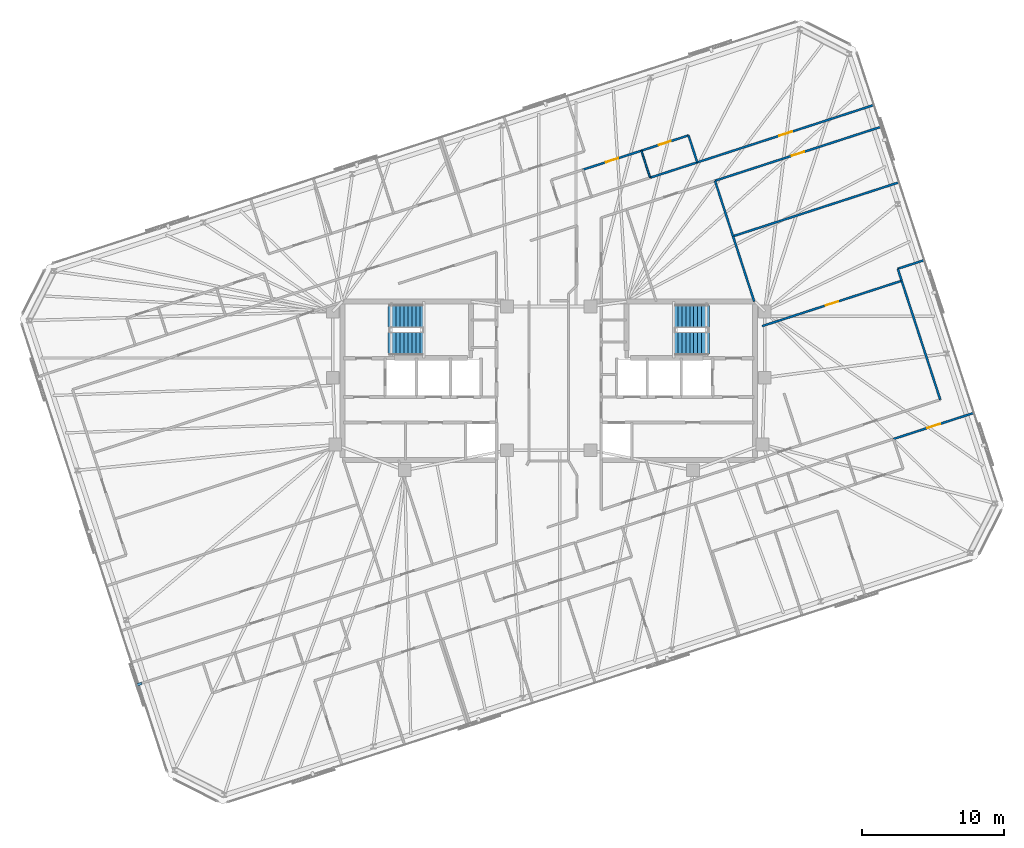
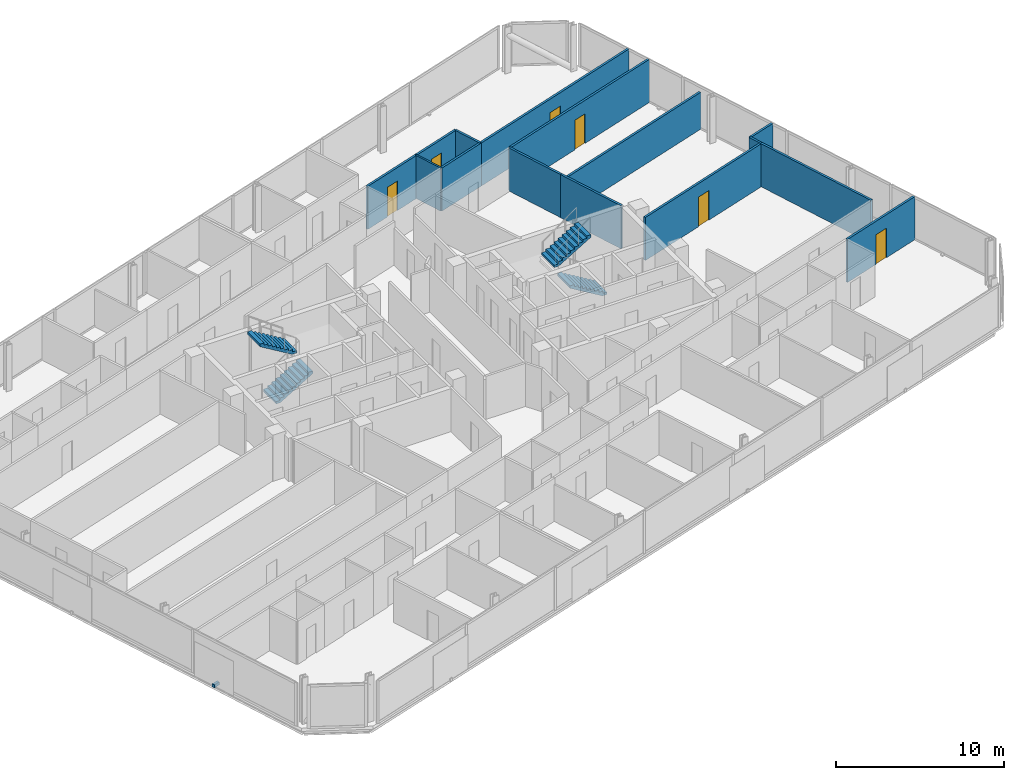
# One storey, part 18 of 20: 15 walls, 6 doors, 4 stair flights, 1 discrete accessory, 6 openings, 2 elements without a shape of their own.
"""IFC4 building model written with IfcOpenShell, lengths in metres."""

from ifc_helpers import new_model, si_unit, direction, frame, frame_2d, origin, origin_2d, place, context, subcontext, project, spatial, polyline, rectangle, outline, extrude, material, layer, layer_set, type_object, element, fill, aggregate, save


model = new_model("IFC4")

# Units and contexts
model_context = context("Model", 3, precision=1e-05, world=origin(), true_north=direction((0.0, 1.0)))
body_context = subcontext(model_context, "Body", "Model", "MODEL_VIEW")
ifc_project = project(units=[si_unit("LENGTHUNIT", "METRE"), si_unit("AREAUNIT", "SQUARE_METRE"), si_unit("VOLUMEUNIT", "CUBIC_METRE"), si_unit("PLANEANGLEUNIT", "RADIAN"), si_unit("MASSUNIT", "GRAM", prefix="KILO")], contexts=[model_context])

# Site, building, storey
site_placement = place(None, origin())
site = spatial("IfcSite", under=ifc_project, at=site_placement, CompositionType="ELEMENT")
building_placement = place(site_placement, origin())
building = spatial("IfcBuilding", under=site, at=building_placement, Name="Menara Jurai Vektor", CompositionType="ELEMENT")
storey_placement = place(building_placement, frame((0.0, 0.0, 247.75)))
storey = spatial("IfcBuildingStorey", under=building, at=storey_placement, Name="L66", CompositionType="ELEMENT", Elevation=247.75)

# Wall, opening, door
ifc_material_1 = material(Name="Gypsum Fireboard Partition", Category="gypsum")
ifc_layer_1 = layer(ifc_material_1, 0.14990234375)
ifc_layer_set_1 = layer_set([ifc_layer_1], Name="Gypsum Fireboard Partition")
wall_type_1 = type_object("IfcWallType", Name="INT-WALL-CORR-150", PredefinedType="PARTITIONING", material=ifc_layer_set_1)
wall_1_placement = place(storey_placement, frame((10.481201171875, 15.420654296875, 0.0), z_axis=(0.0, 0.0, 1.0), x_axis=(0.951055682471, 0.30901956061, 0.0)))
wall_1 = element("IfcWall", 1, at=wall_1_placement, inside=storey, type_object=wall_type_1, Name="Interior Wall IW-150 L66", PredefinedType="PARTITIONING", context=body_context, shape_type="SweptSolid", body=[
    extrude(rectangle(XDim=13.114013671875, YDim=0.14990234375, at=frame_2d((6.55712890625, 0.0))), origin(), (0.0, 0.0, 1.0), 3.125),
])
opening_1_placement = place(wall_1_placement, frame((6.08203125, 0.0, 0.0)))
opening_1 = element("IfcOpeningElement", 2, at=opening_1_placement, cuts=wall_1, Name="Opening D66-17", PredefinedType="OPENING", context=body_context, shape_type="SweptSolid", body=[
    extrude(rectangle(XDim=0.949951171875, YDim=2.14990234375, at=frame_2d((0.47509765625, 1.074951171875))), frame((0.0, 0.0849609375, 0.0), z_axis=(0.0, -1.0, 0.0), x_axis=(1.0, 0.0, 0.0)), (0.0, 0.0, 1.0), 0.169921875),
])
ifc_material_2 = material(Name="Solid Core Timber Fire Door", Category="wood")
door_type_1 = type_object("IfcDoorType", Name="DR-ENTRY-950", OperationType="NOTDEFINED", PredefinedType="DOOR", material=ifc_material_2)
door_1_placement = place(opening_1_placement, origin())
door_1 = element("IfcDoor", 3, at=door_1_placement, inside=storey, type_object=door_type_1, Name="Interior Door D66-17", OperationType="SINGLE_SWING_LEFT", OverallHeight=2.14990234375, OverallWidth=0.949951171875, PredefinedType="DOOR", context=body_context, shape_type="SweptSolid", body=[
    extrude(rectangle(XDim=0.949951171875, YDim=2.14990234375, at=frame_2d((0.47509765625, 1.074951171875))), frame((0.0, 0.02490234375, 0.0), z_axis=(0.0, -1.0, 0.0), x_axis=(1.0, 0.0, 0.0)), (0.0, 0.0, 1.0), 0.050048828125),
])
fill(opening_1, door_1)

# Wall
wall_2_placement = place(storey_placement, frame((7.15234375, 14.339111328125, 0.0), z_axis=(0.0, 0.0, 1.0), x_axis=(0.951062257173, 0.308999325213, 0.0)))
element("IfcWall", 4, at=wall_2_placement, inside=storey, type_object=wall_type_1, Name="Interior Wall IW-150 L66", PredefinedType="PARTITIONING", context=body_context, shape_type="SweptSolid", body=[
    extrude(rectangle(XDim=3.500244140625, YDim=0.14990234375, at=frame_2d((1.75, 0.0))), origin(), (0.0, 0.0, 1.0), 3.125),
])

# Wall, opening, door
wall_3_placement = place(storey_placement, frame((24.33203125, -4.10888671875, 0.0), z_axis=(0.0, 0.0, 1.0), x_axis=(0.951058083458, 0.309012171103, 0.0)))
wall_3 = element("IfcWall", 5, at=wall_3_placement, inside=storey, type_object=wall_type_1, Name="Interior Wall IW-150 L66", PredefinedType="PARTITIONING", context=body_context, shape_type="SweptSolid", body=[
    extrude(rectangle(XDim=5.97607421875, YDim=0.14990234375, at=frame_2d((2.988037109375, 0.0))), origin(), (0.0, 0.0, 1.0), 3.125),
])
opening_2_placement = place(wall_3_placement, frame((2.512939453125, 0.0, 0.0)))
opening_2 = element("IfcOpeningElement", 6, at=opening_2_placement, cuts=wall_3, Name="Opening D66-36", PredefinedType="OPENING", context=body_context, shape_type="SweptSolid", body=[
    extrude(rectangle(XDim=0.949951171875, YDim=2.14990234375, at=frame_2d((0.47509765625, 1.074951171875))), frame((0.0, 0.0849609375, 0.0), z_axis=(0.0, -1.0, 0.0), x_axis=(1.0, 0.0, 0.0)), (0.0, 0.0, 1.0), 0.169921875),
])
door_2_placement = place(opening_2_placement, origin())
door_2 = element("IfcDoor", 7, at=door_2_placement, inside=storey, type_object=door_type_1, Name="Interior Door D66-36", OperationType="SINGLE_SWING_RIGHT", OverallHeight=2.14990234375, OverallWidth=0.949951171875, PredefinedType="DOOR", context=body_context, shape_type="SweptSolid", body=[
    extrude(rectangle(XDim=0.949951171875, YDim=2.14990234375, at=frame_2d((0.47509765625, 1.074951171875))), frame((0.0, 0.02490234375, 0.0), z_axis=(0.0, -1.0, 0.0), x_axis=(1.0, 0.0, 0.0)), (0.0, 0.0, 1.0), 0.050048828125),
])
fill(opening_2, door_2)

# Walls
wall_4_placement = place(storey_placement, frame((27.63671875, -1.331787109375, 0.0), z_axis=(0.0, 0.0, 1.0), x_axis=(-0.309040411618, 0.951048907253, 0.0)))
element("IfcWall", 8, at=wall_4_placement, inside=storey, type_object=wall_type_1, Name="Interior Wall IW-150 L66", PredefinedType="PARTITIONING", context=body_context, shape_type="SweptSolid", body=[
    extrude(rectangle(XDim=8.825927734375, YDim=0.14990234375, at=frame_2d((4.4130859375, 0.0))), origin(), (0.0, 0.0, 1.0), 3.125),
])
wall_5_placement = place(storey_placement, frame((24.9091796875, 7.06201171875, 0.0), z_axis=(0.0, 0.0, 1.0), x_axis=(-0.30899324298, 0.951064233263, 0.0)))
element("IfcWall", 9, at=wall_5_placement, inside=storey, type_object=wall_type_1, Name="Interior Wall IW-150 L66", PredefinedType="PARTITIONING", context=body_context, shape_type="SweptSolid", body=[
    extrude(rectangle(XDim=0.89208984375, YDim=0.14990234375, at=frame_2d((0.446044921875, 0.0))), origin(), (0.0, 0.0, 1.0), 3.125),
])
wall_6_placement = place(storey_placement, frame((24.633544921875, 7.910400390625, 0.0), z_axis=(0.0, 0.0, 1.0), x_axis=(0.951054051148, 0.309024581215, 0.0)))
element("IfcWall", 10, at=wall_6_placement, inside=storey, type_object=wall_type_1, Name="Interior Wall IW-150 L66", PredefinedType="PARTITIONING", context=body_context, shape_type="SweptSolid", body=[
    extrude(rectangle(XDim=1.97509765625, YDim=0.14990234375, at=frame_2d((0.987548828125, 0.0))), origin(), (0.0, 0.0, 1.0), 3.125),
])

# Wall, opening, door
wall_7_placement = place(storey_placement, frame((11.730224609375, 14.123291015625, 0.0), z_axis=(0.0, 0.0, 1.0), x_axis=(0.951060263663, 0.309005460926, 0.0)))
wall_7 = element("IfcWall", 11, at=wall_7_placement, inside=storey, type_object=wall_type_1, Name="Interior Wall IW-150 L66", PredefinedType="PARTITIONING", context=body_context, shape_type="SweptSolid", body=[
    extrude(rectangle(XDim=12.326904296875, YDim=0.14990234375, at=frame_2d((6.16357421875, 0.0))), origin(), (0.0, 0.0, 1.0), 3.125),
])
opening_3_placement = place(wall_7_placement, frame((5.70361328125, 0.0, 0.0)))
opening_3 = element("IfcOpeningElement", 12, at=opening_3_placement, cuts=wall_7, Name="Opening D66-60", PredefinedType="OPENING", context=body_context, shape_type="SweptSolid", body=[
    extrude(rectangle(XDim=0.919921875, YDim=2.14990234375, at=frame_2d((0.4599609375, 1.074951171875))), frame((0.0, 0.0849609375, 0.0), z_axis=(0.0, -1.0, 0.0), x_axis=(1.0, 0.0, 0.0)), (0.0, 0.0, 1.0), 0.169921875),
])
door_3_placement = place(opening_3_placement, origin())
door_3 = element("IfcDoor", 13, at=door_3_placement, inside=storey, type_object=door_type_1, Name="Interior Door D66-60", OperationType="SINGLE_SWING_RIGHT", OverallHeight=2.14990234375, OverallWidth=0.919921875, PredefinedType="DOOR", context=body_context, shape_type="SweptSolid", body=[
    extrude(rectangle(XDim=0.919921875, YDim=2.14990234375, at=frame_2d((0.4599609375, 1.074951171875))), frame((0.0, 0.02490234375, 0.0), z_axis=(0.0, -1.0, 0.0), x_axis=(1.0, 0.0, 0.0)), (0.0, 0.0, 1.0), 0.050048828125),
])
fill(opening_3, door_3)

wall_8_placement = place(storey_placement, frame((2.395751953125, 14.90185546875, 0.0), z_axis=(0.0, 0.0, 1.0), x_axis=(0.951057987102, 0.309012467661, 0.0)))
wall_8 = element("IfcWall", 14, at=wall_8_placement, inside=storey, type_object=wall_type_1, Name="Interior Wall IW-150 L66", PredefinedType="PARTITIONING", context=body_context, shape_type="SweptSolid", body=[
    extrude(rectangle(XDim=4.35009765625, YDim=0.14990234375, at=frame_2d((2.175048828125, 0.0))), origin(), (0.0, 0.0, 1.0), 3.125),
])
opening_4_placement = place(wall_8_placement, frame((1.72509765625, 0.0, 0.0)))
opening_4 = element("IfcOpeningElement", 15, at=opening_4_placement, cuts=wall_8, Name="Opening D66-19", PredefinedType="OPENING", context=body_context, shape_type="SweptSolid", body=[
    extrude(rectangle(XDim=0.89990234375, YDim=2.14990234375, at=frame_2d((0.449951171875, 1.074951171875))), frame((0.0, 0.0849609375, 0.0), z_axis=(0.0, -1.0, 0.0), x_axis=(1.0, 0.0, 0.0)), (0.0, 0.0, 1.0), 0.169921875),
])
ifc_material_3 = material(Name="Acoustic Timber Interior Door", Category="wood")
door_type_2 = type_object("IfcDoorType", Name="DR-ROOM-900", OperationType="NOTDEFINED", PredefinedType="DOOR", material=ifc_material_3)
door_4_placement = place(opening_4_placement, origin())
door_4 = element("IfcDoor", 16, at=door_4_placement, inside=storey, type_object=door_type_2, Name="Interior Door D66-19", OperationType="SINGLE_SWING_LEFT", OverallHeight=2.14990234375, OverallWidth=0.89990234375, PredefinedType="DOOR", context=body_context, shape_type="SweptSolid", body=[
    extrude(rectangle(XDim=0.89990234375, YDim=2.14990234375, at=frame_2d((0.449951171875, 1.074951171875))), frame((0.0, 0.02490234375, 0.0), z_axis=(0.0, -1.0, 0.0), x_axis=(1.0, 0.0, 0.0)), (0.0, 0.0, 1.0), 0.050048828125),
])
fill(opening_4, door_4)

wall_9_placement = place(storey_placement, frame((6.532958984375, 16.24609375, 0.0), z_axis=(0.0, 0.0, 1.0), x_axis=(0.951055596592, 0.309019824916, 0.0)))
wall_9 = element("IfcWall", 17, at=wall_9_placement, inside=storey, type_object=wall_type_1, Name="Interior Wall IW-150 L66", PredefinedType="PARTITIONING", context=body_context, shape_type="SweptSolid", body=[
    extrude(rectangle(XDim=3.5, YDim=0.14990234375, at=frame_2d((1.75, 0.0))), origin(), (0.0, 0.0, 1.0), 3.125),
])
opening_5_placement = place(wall_9_placement, frame((1.31005859375, 0.0, 0.0)))
opening_5 = element("IfcOpeningElement", 18, at=opening_5_placement, cuts=wall_9, Name="Opening D66-20", PredefinedType="OPENING", context=body_context, shape_type="SweptSolid", body=[
    extrude(rectangle(XDim=0.8798828125, YDim=2.14990234375, at=frame_2d((0.43994140625, 1.074951171875))), frame((0.0, 0.0849609375, 0.0), z_axis=(0.0, -1.0, 0.0), x_axis=(1.0, 0.0, 0.0)), (0.0, 0.0, 1.0), 0.169921875),
])
ifc_material_4 = material(Name="Moisture-Resistant Timber Door", Category="wood")
door_type_3 = type_object("IfcDoorType", Name="DR-BATH-880", OperationType="NOTDEFINED", PredefinedType="DOOR", material=ifc_material_4)
door_5_placement = place(opening_5_placement, origin())
door_5 = element("IfcDoor", 19, at=door_5_placement, inside=storey, type_object=door_type_3, Name="Interior Door D66-20", OperationType="SINGLE_SWING_RIGHT", OverallHeight=2.14990234375, OverallWidth=0.8798828125, PredefinedType="DOOR", context=body_context, shape_type="SweptSolid", body=[
    extrude(rectangle(XDim=0.8798828125, YDim=2.14990234375, at=frame_2d((0.43994140625, 1.074951171875))), frame((0.0, 0.02490234375, 0.0), z_axis=(0.0, -1.0, 0.0), x_axis=(1.0, 0.0, 0.0)), (0.0, 0.0, 1.0), 0.050048828125),
])
fill(opening_5, door_5)

# Walls
wall_10_placement = place(storey_placement, frame((10.481201171875, 15.420654296875, 0.0), z_axis=(0.0, 0.0, 1.0), x_axis=(-0.309022749039, 0.951054646472, 0.0)))
element("IfcWall", 20, at=wall_10_placement, inside=storey, type_object=wall_type_1, Name="Interior Wall IW-150 L66", PredefinedType="PARTITIONING", context=body_context, shape_type="SweptSolid", body=[
    extrude(rectangle(XDim=2.005126953125, YDim=0.14990234375, at=frame_2d((1.00244140625, 0.0))), origin(), (0.0, 0.0, 1.0), 3.125),
])
wall_11_placement = place(storey_placement, frame((14.49951171875, 5.599853515625, 0.0), z_axis=(0.0, 0.0, 1.0), x_axis=(-0.308974360462, 0.951070367837, 0.0)))
element("IfcWall", 21, at=wall_11_placement, inside=storey, type_object=wall_type_1, Name="Interior Wall IW-150 L66", PredefinedType="PARTITIONING", context=body_context, shape_type="SweptSolid", body=[
    extrude(rectangle(XDim=4.843017578125, YDim=0.14990234375, at=frame_2d((2.42138671875, 0.0))), origin(), (0.0, 0.0, 1.0), 3.125),
])
wall_12_placement = place(storey_placement, frame((13.003173828125, 10.205810546875, 0.0), z_axis=(0.0, 0.0, 1.0), x_axis=(-0.309035144366, 0.951050618814, 0.0)))
element("IfcWall", 22, at=wall_12_placement, inside=storey, type_object=wall_type_1, Name="Interior Wall IW-150 L66", PredefinedType="PARTITIONING", context=body_context, shape_type="SweptSolid", body=[
    extrude(rectangle(XDim=4.119140625, YDim=0.14990234375, at=frame_2d((2.0595703125, 0.0))), origin(), (0.0, 0.0, 1.0), 3.125),
])

# Wall, opening, door
wall_13_placement = place(storey_placement, frame((15.06396484375, 3.86328125, 0.0), z_axis=(0.0, 0.0, 1.0), x_axis=(0.951061448945, 0.309001812827, 0.0)))
wall_13 = element("IfcWall", 23, at=wall_13_placement, inside=storey, type_object=wall_type_1, Name="Interior Wall IW-150 L66", PredefinedType="PARTITIONING", context=body_context, shape_type="SweptSolid", body=[
    extrude(rectangle(XDim=10.351806640625, YDim=0.14990234375, at=frame_2d((5.17578125, 0.0))), origin(), (0.0, 0.0, 1.0), 3.125),
])
opening_6_placement = place(wall_13_placement, frame((4.716064453125, 0.0, 0.0)))
opening_6 = element("IfcOpeningElement", 24, at=opening_6_placement, cuts=wall_13, Name="Opening D66-59", PredefinedType="OPENING", context=body_context, shape_type="SweptSolid", body=[
    extrude(rectangle(XDim=0.919921875, YDim=2.14990234375, at=frame_2d((0.4599609375, 1.074951171875))), frame((0.0, 0.0849609375, 0.0), z_axis=(0.0, -1.0, 0.0), x_axis=(1.0, 0.0, 0.0)), (0.0, 0.0, 1.0), 0.169921875),
])
door_6_placement = place(opening_6_placement, origin())
door_6 = element("IfcDoor", 25, at=door_6_placement, inside=storey, type_object=door_type_1, Name="Interior Door D66-59", OperationType="SINGLE_SWING_LEFT", OverallHeight=2.14990234375, OverallWidth=0.919921875, PredefinedType="DOOR", context=body_context, shape_type="SweptSolid", body=[
    extrude(rectangle(XDim=0.919921875, YDim=2.14990234375, at=frame_2d((0.4599609375, 1.074951171875))), frame((0.0, 0.02490234375, 0.0), z_axis=(0.0, -1.0, 0.0), x_axis=(1.0, 0.0, 0.0)), (0.0, 0.0, 1.0), 0.050048828125),
])
fill(opening_6, door_6)

# Walls
ifc_layer_2 = layer(ifc_material_1, 0.14990234375)
ifc_layer_set_2 = layer_set([ifc_layer_2], Name="Gypsum Fireboard Partition")
wall_type_2 = type_object("IfcWallType", Name="INT-WALL-CORR-150-H1", PredefinedType="PARTITIONING", material=ifc_layer_set_2)
wall_14_placement = place(storey_placement, frame((13.003173828125, 10.205810546875, 0.0), z_axis=(0.0, 0.0, 1.0), x_axis=(0.951060263663, 0.309005460926, 0.0)))
element("IfcWall", 26, at=wall_14_placement, inside=storey, type_object=wall_type_2, Name="Interior Wall IW-150 L66", PredefinedType="PARTITIONING", context=body_context, shape_type="SweptSolid", body=[
    extrude(rectangle(XDim=12.326904296875, YDim=0.14990234375, at=frame_2d((6.16357421875, 0.0))), origin(), (0.0, 0.0, 1.0), 2.675048828125),
])
ifc_material_5 = material(Name="Gypsum Acoustic Stud Partition", Category="gypsum")
ifc_layer_3 = layer(ifc_material_5, 0.1201171875)
ifc_layer_set_3 = layer_set([ifc_layer_3], Name="Gypsum Acoustic Stud Partition")
wall_type_3 = type_object("IfcWallType", Name="INT-WALL-PART-120", PredefinedType="PARTITIONING", material=ifc_layer_set_3)
wall_15_placement = place(storey_placement, frame((7.15234375, 14.339111328125, 0.0), z_axis=(0.0, 0.0, 1.0), x_axis=(-0.308912611775, 0.951090425925, 0.0)))
element("IfcWall", 27, at=wall_15_placement, inside=storey, type_object=wall_type_3, Name="Interior Wall IW-120 L66", PredefinedType="PARTITIONING", context=body_context, shape_type="SweptSolid", body=[
    extrude(rectangle(XDim=2.005126953125, YDim=0.1201171875, at=frame_2d((1.00244140625, 0.0))), origin(), (0.0, 0.0, 1.0), 3.125),
])

# Stair, stair flights
ifc_material_6 = material(Name="Concrete C40/50", Category="concrete")
stair_type = type_object("IfcStairType", Name="STAIR-DOGLEG-1500", PredefinedType="HALF_TURN_STAIR", material=ifc_material_6)
stair_1_placement = place(storey_placement, origin())
stair_1 = element("IfcStair", 28, at=stair_1_placement, inside=storey, type_object=stair_type, Name="Protected Exit Stair ST1 L66", PredefinedType="HALF_TURN_STAIR")
stair_flight_type = type_object("IfcStairFlightType", Name="STAIR-FLIGHT-1500", PredefinedType="STRAIGHT", material=ifc_material_6)
stair_flight_1_placement = place(storey_placement, frame((-11.35009765625, 2.64990234375, 0.0), z_axis=(0.0, 0.0, 1.0), x_axis=(1.0, 0.0, 0.0)))
stair_flight_1 = element("IfcStairFlight", 29, at=stair_flight_1_placement, type_object=stair_flight_type, Name="ST1 flight 1", NumberOfRisers=10, NumberOfTreads=9, PredefinedType="STRAIGHT", RiserHeight=0.1675, TreadLength=0.28, context=body_context, shape_type="SweptSolid", body=[
    extrude(outline(polyline([(0.0, 0.0), (0.0, 0.16748046875), (0.280029296875, 0.16748046875), (0.280029296875, 0.3349609375), (0.56005859375, 0.3349609375), (0.56005859375, 0.50244140625), (0.840087890625, 0.50244140625), (0.840087890625, 0.669921875), (1.1201171875, 0.669921875), (1.1201171875, 0.83740234375), (1.39990234375, 0.83740234375), (1.39990234375, 1.0048828125), (1.679931640625, 1.0048828125), (1.679931640625, 1.172607421875), (1.9599609375, 1.172607421875), (1.9599609375, 1.340087890625), (2.239990234375, 1.340087890625), (2.239990234375, 1.507568359375), (2.52001953125, 1.507568359375), (2.52001953125, 1.675048828125), (2.52001953125, 1.321044921875), (0.3115234375, 0.0), (0.0, 0.0)])), frame((0.0, 0.75, 0.0), z_axis=(0.0, -1.0, 0.0), x_axis=(1.0, 0.0, 0.0)), (0.0, 0.0, 1.0), 1.5),
])
stair_flight_2_placement = place(storey_placement, frame((-8.830078125, 4.550048828125, 1.675048828125), z_axis=(0.0, 0.0, 1.0), x_axis=(-1.0, 0.0, 0.0)))
stair_flight_2 = element("IfcStairFlight", 30, at=stair_flight_2_placement, type_object=stair_flight_type, Name="ST1 flight 2", NumberOfRisers=10, NumberOfTreads=9, PredefinedType="STRAIGHT", RiserHeight=0.1675, TreadLength=0.28, context=body_context, shape_type="SweptSolid", body=[
    extrude(outline(polyline([(0.0, 0.0), (0.0, 0.16748046875), (0.280029296875, 0.16748046875), (0.280029296875, 0.3349609375), (0.56005859375, 0.3349609375), (0.56005859375, 0.50244140625), (0.840087890625, 0.50244140625), (0.840087890625, 0.669921875), (1.1201171875, 0.669921875), (1.1201171875, 0.83740234375), (1.39990234375, 0.83740234375), (1.39990234375, 1.0048828125), (1.679931640625, 1.0048828125), (1.679931640625, 1.172607421875), (1.9599609375, 1.172607421875), (1.9599609375, 1.340087890625), (2.239990234375, 1.340087890625), (2.239990234375, 1.507568359375), (2.52001953125, 1.507568359375), (2.52001953125, 1.675048828125), (2.52001953125, 1.321044921875), (0.3115234375, 0.0), (0.0, 0.0)])), frame((0.0, 0.75, 0.0), z_axis=(0.0, -1.0, 0.0), x_axis=(1.0, 0.0, 0.0)), (0.0, 0.0, 1.0), 1.5),
])
aggregate(stair_1, [stair_flight_1, stair_flight_2])

stair_2_placement = place(storey_placement, origin())
stair_2 = element("IfcStair", 31, at=stair_2_placement, inside=storey, type_object=stair_type, Name="Protected Exit Stair ST2 L66", PredefinedType="HALF_TURN_STAIR")
stair_flight_3_placement = place(storey_placement, frame((11.35009765625, 2.64990234375, 0.0), z_axis=(0.0, 0.0, 1.0), x_axis=(-1.0, 0.0, 0.0)))
stair_flight_3 = element("IfcStairFlight", 32, at=stair_flight_3_placement, type_object=stair_flight_type, Name="ST2 flight 1", NumberOfRisers=10, NumberOfTreads=9, PredefinedType="STRAIGHT", RiserHeight=0.1675, TreadLength=0.28, context=body_context, shape_type="SweptSolid", body=[
    extrude(outline(polyline([(0.0, 0.0), (0.0, 0.16748046875), (0.280029296875, 0.16748046875), (0.280029296875, 0.3349609375), (0.56005859375, 0.3349609375), (0.56005859375, 0.50244140625), (0.840087890625, 0.50244140625), (0.840087890625, 0.669921875), (1.1201171875, 0.669921875), (1.1201171875, 0.83740234375), (1.39990234375, 0.83740234375), (1.39990234375, 1.0048828125), (1.679931640625, 1.0048828125), (1.679931640625, 1.172607421875), (1.9599609375, 1.172607421875), (1.9599609375, 1.340087890625), (2.239990234375, 1.340087890625), (2.239990234375, 1.507568359375), (2.52001953125, 1.507568359375), (2.52001953125, 1.675048828125), (2.52001953125, 1.321044921875), (0.3115234375, 0.0), (0.0, 0.0)])), frame((0.0, 0.75, 0.0), z_axis=(0.0, -1.0, 0.0), x_axis=(1.0, 0.0, 0.0)), (0.0, 0.0, 1.0), 1.5),
])
stair_flight_4_placement = place(storey_placement, frame((8.830078125, 4.550048828125, 1.675048828125), z_axis=(0.0, 0.0, 1.0), x_axis=(1.0, 0.0, 0.0)))
stair_flight_4 = element("IfcStairFlight", 33, at=stair_flight_4_placement, type_object=stair_flight_type, Name="ST2 flight 2", NumberOfRisers=10, NumberOfTreads=9, PredefinedType="STRAIGHT", RiserHeight=0.1675, TreadLength=0.28, context=body_context, shape_type="SweptSolid", body=[
    extrude(outline(polyline([(0.0, 0.0), (0.0, 0.16748046875), (0.280029296875, 0.16748046875), (0.280029296875, 0.3349609375), (0.56005859375, 0.3349609375), (0.56005859375, 0.50244140625), (0.840087890625, 0.50244140625), (0.840087890625, 0.669921875), (1.1201171875, 0.669921875), (1.1201171875, 0.83740234375), (1.39990234375, 0.83740234375), (1.39990234375, 1.0048828125), (1.679931640625, 1.0048828125), (1.679931640625, 1.172607421875), (1.9599609375, 1.172607421875), (1.9599609375, 1.340087890625), (2.239990234375, 1.340087890625), (2.239990234375, 1.507568359375), (2.52001953125, 1.507568359375), (2.52001953125, 1.675048828125), (2.52001953125, 1.321044921875), (0.3115234375, 0.0), (0.0, 0.0)])), frame((0.0, 0.75, 0.0), z_axis=(0.0, -1.0, 0.0), x_axis=(1.0, 0.0, 0.0)), (0.0, 0.0, 1.0), 1.5),
])
aggregate(stair_2, [stair_flight_3, stair_flight_4])

# Discrete accessory
ifc_material_7 = material(Name="Steel S355", Category="steel")
discrete_accessory_type = type_object("IfcDiscreteAccessoryType", Name="ENV-ACC-BRACKET", PredefinedType="BRACKET", material=ifc_material_7)
discrete_accessory_placement = place(storey_placement, frame((-28.957763671875, -21.429443359375, -0.1298828125), z_axis=(0.0, 0.0, 1.0), x_axis=(0.309016994375, -0.951056516295, 0.0)))
element("IfcDiscreteAccessory", 34, at=discrete_accessory_placement, inside=storey, type_object=discrete_accessory_type, Name="Solar Screen Stand-Off Bracket L66-S14", PredefinedType="BRACKET", context=body_context, shape_type="SweptSolid", body=[
    extrude(rectangle(XDim=0.179931640625, YDim=0.43994140625, at=origin_2d()), origin(), (0.0, 0.0, 1.0), 0.219970703125),
])

save(model, "model.ifc")
